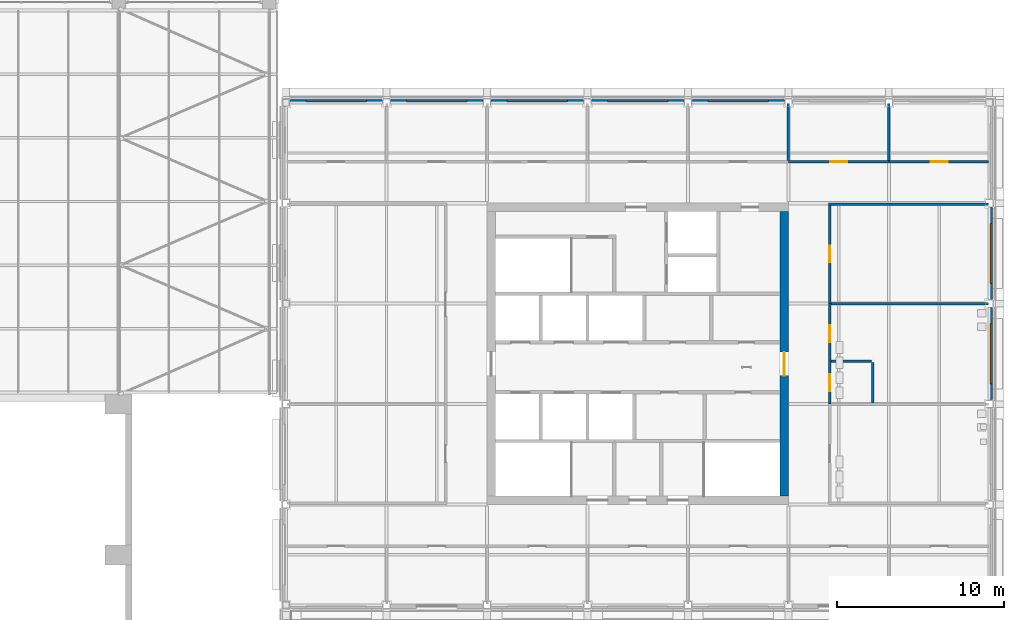
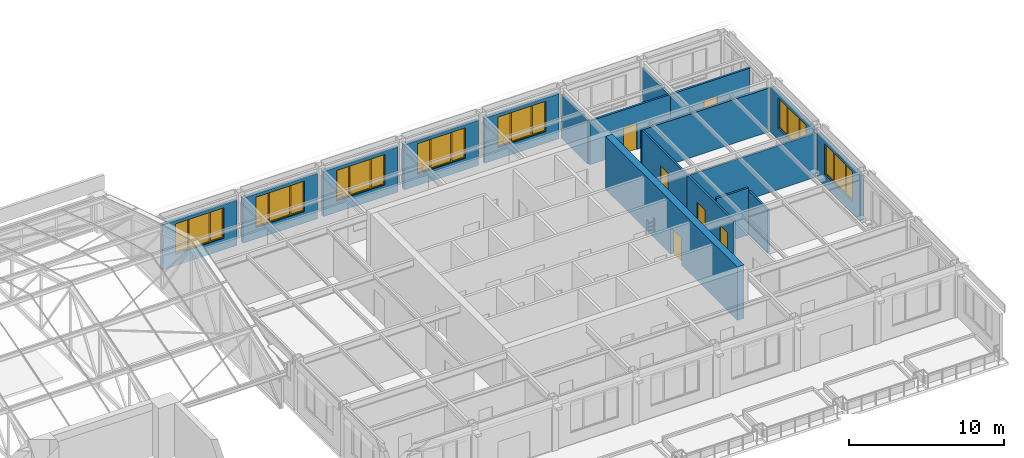
# One storey, part 63 of 82: 18 walls, 7 windows, 6 doors, 13 openings.
"""IFC4 building model written with IfcOpenShell, lengths in metres."""

from ifc_helpers import new_model, si_unit, direction, frame, frame_2d, origin, place, context, subcontext, project, spatial, polyline, rectangle, outline, extrude, material, layer, layer_set, type_object, element, fill, save


model = new_model("IFC4")

# Units and contexts
model_context = context("Model", 3, precision=1e-05, world=origin(), true_north=direction((0.0, 1.0)))
body_context = subcontext(model_context, "Body", "Model", "MODEL_VIEW")
ifc_project = project(units=[si_unit("LENGTHUNIT", "METRE"), si_unit("AREAUNIT", "SQUARE_METRE"), si_unit("VOLUMEUNIT", "CUBIC_METRE"), si_unit("PLANEANGLEUNIT", "RADIAN"), si_unit("MASSUNIT", "GRAM", prefix="KILO")], contexts=[model_context])

# Site, building, storey
site_placement = place(None, origin())
site = spatial("IfcSite", under=ifc_project, at=site_placement, CompositionType="ELEMENT")
building_placement = place(site_placement, origin())
building = spatial("IfcBuilding", under=site, at=building_placement, Name="Aravalli Gate Trade Fair Centre", CompositionType="ELEMENT")
storey_placement = place(building_placement, frame((0.0, 0.0, 19.199951171875)))
storey = spatial("IfcBuildingStorey", under=building, at=storey_placement, Name="L04", CompositionType="ELEMENT", Elevation=19.199951171875)

# Wall, opening, door
ifc_material_1 = material(Name="Concrete M50", Category="concrete")
ifc_layer_1 = layer(ifc_material_1, 0.5)
ifc_layer_set_1 = layer_set([ifc_layer_1], Name="Concrete M50")
wall_type_1 = type_object("IfcWallType", Name="Wing core shear wall 500", PredefinedType="SHEAR", material=ifc_layer_set_1)
wall_1_placement = place(storey_placement, frame((189.75, 103.5, 0.0), z_axis=(0.0, 0.0, 1.0), x_axis=(0.0, 1.0, 0.0)))
wall_1 = element("IfcWall", 1, at=wall_1_placement, inside=storey, type_object=wall_type_1, Name="Core wall E L04", PredefinedType="SHEAR", context=body_context, shape_type="SweptSolid", body=[
    extrude(rectangle(XDim=17.0, YDim=0.5, at=frame_2d((8.5, 0.0))), origin(), (0.0, 0.0, 1.0), 4.199951171875),
])
opening_1_placement = place(wall_1_placement, frame((7.199951171875, 0.0, 0.0)))
opening_1 = element("IfcOpeningElement", 2, at=opening_1_placement, cuts=wall_1, Name="Opening T-L04-107", PredefinedType="OPENING", context=body_context, shape_type="SweptSolid", body=[
    extrude(rectangle(XDim=1.39990234375, YDim=2.10009765625, at=frame_2d((0.699951171875, 1.050048828125))), frame((0.0, 0.260009765625, 0.0), z_axis=(0.0, -1.0, 0.0), x_axis=(1.0, 0.0, 0.0)), (0.0, 0.0, 1.0), 0.52001953125),
])
ifc_material_2 = material(Name="Steel, fire rated", Category="steel")
door_type_1 = type_object("IfcDoorType", Name="Wing fire door FD120 1400 x 2100", OperationType="DOUBLE_DOOR_SINGLE_SWING", PredefinedType="DOOR", material=ifc_material_2)
door_1_placement = place(opening_1_placement, frame((1.39990234375, 0.0, 0.0), z_axis=(0.0, 0.0, 1.0), x_axis=(-1.0, 0.0, 0.0)))
door_1 = element("IfcDoor", 3, at=door_1_placement, inside=storey, type_object=door_type_1, Name="Core door T-L04-107", OperationType="DOUBLE_DOOR_SINGLE_SWING", OverallHeight=2.10009765625, OverallWidth=1.39990234375, PredefinedType="DOOR", context=body_context, shape_type="SweptSolid", body=[
    extrude(rectangle(XDim=1.39990234375, YDim=2.10009765625, at=frame_2d((0.699951171875, 1.050048828125))), frame((0.0, 0.02490234375, 0.0), z_axis=(0.0, -1.0, 0.0), x_axis=(1.0, 0.0, 0.0)), (0.0, 0.0, 1.0), 0.050048828125),
])
fill(opening_1, door_1)

# Wall
ifc_material_3 = material(Name="Blockwork with fire-rated lining", Category="masonry")
ifc_layer_2 = layer(ifc_material_3, 0.14990234375)
ifc_layer_set_2 = layer_set([ifc_layer_2], Name="Blockwork with fire-rated lining")
wall_type_2 = type_object("IfcWallType", Name="Wing partition 150 (EI 60, corridor wall)", PredefinedType="PARTITIONING", material=ifc_layer_set_2)
wall_2_placement = place(storey_placement, frame((190.0, 123.550048828125, 0.0), z_axis=(0.0, 0.0, 1.0), x_axis=(0.0, 1.0, 0.0)))
element("IfcWall", 4, at=wall_2_placement, inside=storey, type_object=wall_type_2, Name="Partition NP5 L04", PredefinedType="PARTITIONING", context=body_context, shape_type="SweptSolid", body=[
    extrude(rectangle(XDim=3.39990234375, YDim=0.14990234375, at=frame_2d((1.699951171875, 0.0))), origin(), (0.0, 0.0, 1.0), 3.449951171875),
])

# Wall, opening, door
wall_3_placement = place(storey_placement, frame((190.0, 123.47509765625, 0.0), z_axis=(0.0, 0.0, 1.0), x_axis=(1.0, 0.0, 0.0)))
wall_3 = element("IfcWall", 5, at=wall_3_placement, inside=storey, type_object=wall_type_2, Name="Partition NW6 L04", PredefinedType="PARTITIONING", context=body_context, shape_type="SweptSolid", body=[
    extrude(rectangle(XDim=6.0, YDim=0.14990234375, at=frame_2d((3.0, 0.0))), origin(), (0.0, 0.0, 1.0), 3.449951171875),
])
opening_2_placement = place(wall_3_placement, frame((2.5, 0.0, 0.0)))
opening_2 = element("IfcOpeningElement", 6, at=opening_2_placement, cuts=wall_3, Name="Opening T-L04-153", PredefinedType="OPENING", context=body_context, shape_type="SweptSolid", body=[
    extrude(rectangle(XDim=1.0, YDim=2.10009765625, at=frame_2d((0.5, 1.050048828125))), frame((0.0, 0.0849609375, 0.0), z_axis=(0.0, -1.0, 0.0), x_axis=(1.0, 0.0, 0.0)), (0.0, 0.0, 1.0), 0.169921875),
])
door_type_2 = type_object("IfcDoorType", Name="Wing fire door FD60 1000 x 2100", OperationType="SINGLE_SWING_LEFT", PredefinedType="DOOR", material=ifc_material_2)
door_2_placement = place(opening_2_placement, origin())
door_2 = element("IfcDoor", 7, at=door_2_placement, inside=storey, type_object=door_type_2, Name="Door T-L04-153", OperationType="SINGLE_SWING_LEFT", OverallHeight=2.10009765625, OverallWidth=1.0, PredefinedType="DOOR", context=body_context, shape_type="SweptSolid", body=[
    extrude(rectangle(XDim=1.0, YDim=2.10009765625, at=frame_2d((0.5, 1.050048828125))), frame((0.0, 0.02490234375, 0.0), z_axis=(0.0, -1.0, 0.0), x_axis=(1.0, 0.0, 0.0)), (0.0, 0.0, 1.0), 0.050048828125),
])
fill(opening_2, door_2)

# Wall
wall_4_placement = place(storey_placement, frame((196.0, 123.550048828125, 0.0), z_axis=(0.0, 0.0, 1.0), x_axis=(0.0, 1.0, 0.0)))
element("IfcWall", 8, at=wall_4_placement, inside=storey, type_object=wall_type_2, Name="Partition NP6 L04", PredefinedType="PARTITIONING", context=body_context, shape_type="SweptSolid", body=[
    extrude(rectangle(XDim=3.39990234375, YDim=0.14990234375, at=frame_2d((1.699951171875, 0.0))), origin(), (0.0, 0.0, 1.0), 3.449951171875),
])

# Wall, opening, door
wall_5_placement = place(storey_placement, frame((196.0, 123.47509765625, 0.0), z_axis=(0.0, 0.0, 1.0), x_axis=(1.0, 0.0, 0.0)))
wall_5 = element("IfcWall", 9, at=wall_5_placement, inside=storey, type_object=wall_type_2, Name="Partition NW7 L04", PredefinedType="PARTITIONING", context=body_context, shape_type="SweptSolid", body=[
    extrude(rectangle(XDim=5.949951171875, YDim=0.14990234375, at=frame_2d((2.97509765625, 0.0))), origin(), (0.0, 0.0, 1.0), 3.449951171875),
])
opening_3_placement = place(wall_5_placement, frame((2.512451171875, 0.0, 0.0)))
opening_3 = element("IfcOpeningElement", 10, at=opening_3_placement, cuts=wall_5, Name="Opening T-L04-154", PredefinedType="OPENING", context=body_context, shape_type="SweptSolid", body=[
    extrude(rectangle(XDim=1.0, YDim=2.10009765625, at=frame_2d((0.5, 1.050048828125))), frame((0.0, 0.0849609375, 0.0), z_axis=(0.0, -1.0, 0.0), x_axis=(1.0, 0.0, 0.0)), (0.0, 0.0, 1.0), 0.169921875),
])
door_3_placement = place(opening_3_placement, origin())
door_3 = element("IfcDoor", 11, at=door_3_placement, inside=storey, type_object=door_type_2, Name="Door T-L04-154", OperationType="SINGLE_SWING_RIGHT", OverallHeight=2.10009765625, OverallWidth=1.0, PredefinedType="DOOR", context=body_context, shape_type="SweptSolid", body=[
    extrude(rectangle(XDim=1.0, YDim=2.10009765625, at=frame_2d((0.5, 1.050048828125))), frame((0.0, 0.02490234375, 0.0), z_axis=(0.0, -1.0, 0.0), x_axis=(1.0, 0.0, 0.0)), (0.0, 0.0, 1.0), 0.050048828125),
])
fill(opening_3, door_3)

# Wall, openings, doors
wall_6_placement = place(storey_placement, frame((192.47509765625, 109.0, 0.0), z_axis=(0.0, 0.0, 1.0), x_axis=(0.0, 1.0, 0.0)))
wall_6 = element("IfcWall", 12, at=wall_6_placement, inside=storey, type_object=wall_type_2, Name="Partition EW2 L04", PredefinedType="PARTITIONING", context=body_context, shape_type="SweptSolid", body=[
    extrude(rectangle(XDim=6.0, YDim=0.14990234375, at=frame_2d((3.0, 0.0))), origin(), (0.0, 0.0, 1.0), 3.449951171875),
])
opening_4_placement = place(wall_6_placement, frame((3.699951171875, 0.0, 0.0)))
opening_4 = element("IfcOpeningElement", 13, at=opening_4_placement, cuts=wall_6, Name="Opening T-L04-158", PredefinedType="OPENING", context=body_context, shape_type="SweptSolid", body=[
    extrude(rectangle(XDim=1.0, YDim=2.10009765625, at=frame_2d((0.5, 1.050048828125))), frame((0.0, 0.0849609375, 0.0), z_axis=(0.0, -1.0, 0.0), x_axis=(1.0, 0.0, 0.0)), (0.0, 0.0, 1.0), 0.169921875),
])
opening_5_placement = place(wall_6_placement, frame((0.77490234375, 0.0, 0.0)))
opening_5 = element("IfcOpeningElement", 14, at=opening_5_placement, cuts=wall_6, Name="Opening T-L04-159", PredefinedType="OPENING", context=body_context, shape_type="SweptSolid", body=[
    extrude(rectangle(XDim=1.0, YDim=2.10009765625, at=frame_2d((0.5, 1.050048828125))), frame((0.0, 0.0849609375, 0.0), z_axis=(0.0, -1.0, 0.0), x_axis=(1.0, 0.0, 0.0)), (0.0, 0.0, 1.0), 0.169921875),
])
door_4_placement = place(opening_4_placement, frame((1.0, 0.0, 0.0), z_axis=(0.0, 0.0, 1.0), x_axis=(-1.0, 0.0, 0.0)))
door_4 = element("IfcDoor", 15, at=door_4_placement, inside=storey, type_object=door_type_2, Name="Door T-L04-158", OperationType="SINGLE_SWING_RIGHT", OverallHeight=2.10009765625, OverallWidth=1.0, PredefinedType="DOOR", context=body_context, shape_type="SweptSolid", body=[
    extrude(rectangle(XDim=1.0, YDim=2.10009765625, at=frame_2d((0.5, 1.050048828125))), frame((0.0, 0.02490234375, 0.0), z_axis=(0.0, -1.0, 0.0), x_axis=(1.0, 0.0, 0.0)), (0.0, 0.0, 1.0), 0.050048828125),
])
fill(opening_4, door_4)
door_5_placement = place(opening_5_placement, frame((1.0, 0.0, 0.0), z_axis=(0.0, 0.0, 1.0), x_axis=(-1.0, 0.0, 0.0)))
door_5 = element("IfcDoor", 16, at=door_5_placement, inside=storey, type_object=door_type_2, Name="Door T-L04-159", OperationType="SINGLE_SWING_RIGHT", OverallHeight=2.10009765625, OverallWidth=1.0, PredefinedType="DOOR", context=body_context, shape_type="SweptSolid", body=[
    extrude(rectangle(XDim=1.0, YDim=2.10009765625, at=frame_2d((0.5, 1.050048828125))), frame((0.0, 0.02490234375, 0.0), z_axis=(0.0, -1.0, 0.0), x_axis=(1.0, 0.0, 0.0)), (0.0, 0.0, 1.0), 0.050048828125),
])
fill(opening_5, door_5)

# Walls
wall_7_placement = place(storey_placement, frame((192.550048828125, 115.0, 0.0), z_axis=(0.0, 0.0, 1.0), x_axis=(1.0, 0.0, 0.0)))
element("IfcWall", 17, at=wall_7_placement, inside=storey, type_object=wall_type_2, Name="Partition EP2 L04", PredefinedType="PARTITIONING", context=body_context, shape_type="SweptSolid", body=[
    extrude(rectangle(XDim=9.39990234375, YDim=0.14990234375, at=frame_2d((4.699951171875, 0.0))), origin(), (0.0, 0.0, 1.0), 3.449951171875),
])
wall_8_placement = place(storey_placement, frame((195.02490234375, 109.074951171875, 0.0), z_axis=(0.0, 0.0, 1.0), x_axis=(0.0, 1.0, 0.0)))
element("IfcWall", 18, at=wall_8_placement, inside=storey, type_object=wall_type_2, Name="Partition EA2x L04", PredefinedType="PARTITIONING", context=body_context, shape_type="SweptSolid", body=[
    extrude(rectangle(XDim=2.400146484375, YDim=0.14990234375, at=frame_2d((1.2001953125, 0.0))), origin(), (0.0, 0.0, 1.0), 3.449951171875),
])
wall_9_placement = place(storey_placement, frame((192.550048828125, 111.550048828125, 0.0), z_axis=(0.0, 0.0, 1.0), x_axis=(1.0, 0.0, 0.0)))
element("IfcWall", 19, at=wall_9_placement, inside=storey, type_object=wall_type_2, Name="Partition EA2y L04", PredefinedType="PARTITIONING", context=body_context, shape_type="SweptSolid", body=[
    extrude(rectangle(XDim=2.39990234375, YDim=0.14990234375, at=frame_2d((1.199951171875, 0.0))), origin(), (0.0, 0.0, 1.0), 3.699951171875),
])

# Wall, opening, door
wall_10_placement = place(storey_placement, frame((192.47509765625, 115.0, 0.0), z_axis=(0.0, 0.0, 1.0), x_axis=(0.0, 1.0, 0.0)))
wall_10 = element("IfcWall", 20, at=wall_10_placement, inside=storey, type_object=wall_type_2, Name="Partition EW3 L04", PredefinedType="PARTITIONING", context=body_context, shape_type="SweptSolid", body=[
    extrude(rectangle(XDim=5.85009765625, YDim=0.14990234375, at=frame_2d((2.925048828125, 0.0))), origin(), (0.0, 0.0, 1.0), 3.449951171875),
])
opening_6_placement = place(wall_10_placement, frame((2.46240234375, 0.0, 0.0)))
opening_6 = element("IfcOpeningElement", 21, at=opening_6_placement, cuts=wall_10, Name="Opening T-L04-160", PredefinedType="OPENING", context=body_context, shape_type="SweptSolid", body=[
    extrude(rectangle(XDim=1.0, YDim=2.10009765625, at=frame_2d((0.5, 1.050048828125))), frame((0.0, 0.0849609375, 0.0), z_axis=(0.0, -1.0, 0.0), x_axis=(1.0, 0.0, 0.0)), (0.0, 0.0, 1.0), 0.169921875),
])
door_6_placement = place(opening_6_placement, frame((1.0, 0.0, 0.0), z_axis=(0.0, 0.0, 1.0), x_axis=(-1.0, 0.0, 0.0)))
door_6 = element("IfcDoor", 22, at=door_6_placement, inside=storey, type_object=door_type_2, Name="Door T-L04-160", OperationType="SINGLE_SWING_LEFT", OverallHeight=2.10009765625, OverallWidth=1.0, PredefinedType="DOOR", context=body_context, shape_type="SweptSolid", body=[
    extrude(rectangle(XDim=1.0, YDim=2.10009765625, at=frame_2d((0.5, 1.050048828125))), frame((0.0, 0.02490234375, 0.0), z_axis=(0.0, -1.0, 0.0), x_axis=(1.0, 0.0, 0.0)), (0.0, 0.0, 1.0), 0.050048828125),
])
fill(opening_6, door_6)

# Wall
wall_11_placement = place(storey_placement, frame((192.39990234375, 120.925048828125, 0.0), z_axis=(0.0, 0.0, 1.0), x_axis=(1.0, 0.0, 0.0)))
element("IfcWall", 23, at=wall_11_placement, inside=storey, type_object=wall_type_2, Name="Partition CL-NE L04", PredefinedType="PARTITIONING", context=body_context, shape_type="SweptSolid", body=[
    extrude(rectangle(XDim=9.550048828125, YDim=0.14990234375, at=frame_2d((4.77490234375, 0.0))), origin(), (0.0, 0.0, 1.0), 3.449951171875),
])

# Wall, opening, window
ifc_material_4 = material(Name="Concrete block masonry", Category="masonry")
ifc_layer_3 = layer(ifc_material_4, 0.2099609375, Name="Block masonry")
ifc_material_5 = material(Name="Terracotta cladding", Category="masonry")
ifc_layer_4 = layer(ifc_material_5, 0.0400390625, Name="Terracotta cladding")
ifc_layer_set_3 = layer_set([ifc_layer_3, ifc_layer_4], Name="Wing terracotta clad infill wall 250")
wall_type_3 = type_object("IfcWallType", Name="Wing terracotta clad infill wall 250", PredefinedType="SOLIDWALL", material=ifc_layer_set_3)
wall_12_placement = place(storey_placement, frame((160.22509765625, 127.074951171875, 0.0), z_axis=(0.0, 0.0, 1.0), x_axis=(1.0, 0.0, 0.0)))
wall_12 = element("IfcWall", 24, at=wall_12_placement, inside=storey, type_object=wall_type_3, Name="Facade wall N0 L04", PredefinedType="SOLIDWALL", context=body_context, shape_type="SweptSolid", body=[
    extrude(rectangle(XDim=5.5498046875, YDim=0.25, at=frame_2d((2.77490234375, 0.0))), origin(), (0.0, 0.0, 1.0), 3.550048828125),
])
opening_7_placement = place(wall_12_placement, frame((0.97509765625, 0.0, 0.89990234375)))
opening_7 = element("IfcOpeningElement", 25, at=opening_7_placement, cuts=wall_12, Name="Opening TWN1", PredefinedType="OPENING", context=body_context, shape_type="SweptSolid", body=[
    extrude(rectangle(XDim=3.60009765625, YDim=2.39990234375, at=frame_2d((1.800048828125, 1.199951171875))), frame((0.0, 0.135009765625, 0.0), z_axis=(0.0, -1.0, 0.0), x_axis=(1.0, 0.0, 0.0)), (0.0, 0.0, 1.0), 0.27001953125),
])
ifc_material_6 = material(Name="Aluminium and glass", Category="aluminium")
window_type = type_object("IfcWindowType", Name="Wing chicago window 3600 x 2400", PartitioningType="TRIPLE_PANEL_VERTICAL", PredefinedType="WINDOW", material=ifc_material_6)
window_1_placement = place(opening_7_placement, origin())
window_1 = element("IfcWindow", 26, at=window_1_placement, inside=storey, type_object=window_type, Name="Window N0 L04", OverallHeight=2.39990234375, OverallWidth=3.60009765625, PartitioningType="TRIPLE_PANEL_VERTICAL", PredefinedType="WINDOW", context=body_context, shape_type="SweptSolid", body=[
    extrude(outline(polyline([(0.0, 0.0), (3.60009765625, 0.0), (3.60009765625, 2.39990234375), (0.0, 2.39990234375), (0.0, 0.0)]), holes=[polyline([(0.06005859375, 0.06005859375), (0.9599609375, 0.06005859375), (0.9599609375, 2.33984375), (0.06005859375, 2.33984375), (0.06005859375, 0.06005859375)]), polyline([(1.06005859375, 0.06005859375), (2.539794921875, 0.06005859375), (2.539794921875, 2.33984375), (1.06005859375, 2.33984375), (1.06005859375, 0.06005859375)]), polyline([(2.639892578125, 0.06005859375), (3.539794921875, 0.06005859375), (3.539794921875, 2.33984375), (2.639892578125, 2.33984375), (2.639892578125, 0.06005859375)])]), frame((0.0, 0.030029296875, 0.0), z_axis=(0.0, -1.0, 0.0), x_axis=(1.0, 0.0, 0.0)), (0.0, 0.0, 1.0), 0.06005859375),
    extrude(rectangle(XDim=0.923828125, YDim=2.3037109375, at=frame_2d((0.510009765625, 1.199951171875))), frame((0.0, 0.010009765625, 0.0), z_axis=(0.0, -1.0, 0.0), x_axis=(1.0, 0.0, 0.0)), (0.0, 0.0, 1.0), 0.02001953125),
    extrude(rectangle(XDim=1.503662109375, YDim=2.3037109375, at=frame_2d((1.7998046875, 1.199951171875))), frame((0.0, 0.010009765625, 0.0), z_axis=(0.0, -1.0, 0.0), x_axis=(1.0, 0.0, 0.0)), (0.0, 0.0, 1.0), 0.02001953125),
    extrude(rectangle(XDim=0.923828125, YDim=2.3037109375, at=frame_2d((3.08984375, 1.199951171875))), frame((0.0, 0.010009765625, 0.0), z_axis=(0.0, -1.0, 0.0), x_axis=(1.0, 0.0, 0.0)), (0.0, 0.0, 1.0), 0.02001953125),
])
fill(opening_7, window_1)

wall_13_placement = place(storey_placement, frame((166.22509765625, 127.074951171875, 0.0), z_axis=(0.0, 0.0, 1.0), x_axis=(1.0, 0.0, 0.0)))
wall_13 = element("IfcWall", 27, at=wall_13_placement, inside=storey, type_object=wall_type_3, Name="Facade wall N1 L04", PredefinedType="SOLIDWALL", context=body_context, shape_type="SweptSolid", body=[
    extrude(rectangle(XDim=5.5498046875, YDim=0.25, at=frame_2d((2.77490234375, 0.0))), origin(), (0.0, 0.0, 1.0), 3.550048828125),
])
opening_8_placement = place(wall_13_placement, frame((0.97509765625, 0.0, 0.89990234375)))
opening_8 = element("IfcOpeningElement", 28, at=opening_8_placement, cuts=wall_13, Name="Opening TWN1", PredefinedType="OPENING", context=body_context, shape_type="SweptSolid", body=[
    extrude(rectangle(XDim=3.60009765625, YDim=2.39990234375, at=frame_2d((1.800048828125, 1.199951171875))), frame((0.0, 0.135009765625, 0.0), z_axis=(0.0, -1.0, 0.0), x_axis=(1.0, 0.0, 0.0)), (0.0, 0.0, 1.0), 0.27001953125),
])
window_2_placement = place(opening_8_placement, origin())
window_2 = element("IfcWindow", 29, at=window_2_placement, inside=storey, type_object=window_type, Name="Window N1 L04", OverallHeight=2.39990234375, OverallWidth=3.60009765625, PartitioningType="TRIPLE_PANEL_VERTICAL", PredefinedType="WINDOW", context=body_context, shape_type="SweptSolid", body=[
    extrude(outline(polyline([(0.0, 0.0), (3.60009765625, 0.0), (3.60009765625, 2.39990234375), (0.0, 2.39990234375), (0.0, 0.0)]), holes=[polyline([(0.06005859375, 0.06005859375), (0.9599609375, 0.06005859375), (0.9599609375, 2.33984375), (0.06005859375, 2.33984375), (0.06005859375, 0.06005859375)]), polyline([(1.06005859375, 0.06005859375), (2.539794921875, 0.06005859375), (2.539794921875, 2.33984375), (1.06005859375, 2.33984375), (1.06005859375, 0.06005859375)]), polyline([(2.639892578125, 0.06005859375), (3.539794921875, 0.06005859375), (3.539794921875, 2.33984375), (2.639892578125, 2.33984375), (2.639892578125, 0.06005859375)])]), frame((0.0, 0.030029296875, 0.0), z_axis=(0.0, -1.0, 0.0), x_axis=(1.0, 0.0, 0.0)), (0.0, 0.0, 1.0), 0.06005859375),
    extrude(rectangle(XDim=0.923828125, YDim=2.3037109375, at=frame_2d((0.510009765625, 1.199951171875))), frame((0.0, 0.010009765625, 0.0), z_axis=(0.0, -1.0, 0.0), x_axis=(1.0, 0.0, 0.0)), (0.0, 0.0, 1.0), 0.02001953125),
    extrude(rectangle(XDim=1.503662109375, YDim=2.3037109375, at=frame_2d((1.7998046875, 1.199951171875))), frame((0.0, 0.010009765625, 0.0), z_axis=(0.0, -1.0, 0.0), x_axis=(1.0, 0.0, 0.0)), (0.0, 0.0, 1.0), 0.02001953125),
    extrude(rectangle(XDim=0.923828125, YDim=2.3037109375, at=frame_2d((3.08984375, 1.199951171875))), frame((0.0, 0.010009765625, 0.0), z_axis=(0.0, -1.0, 0.0), x_axis=(1.0, 0.0, 0.0)), (0.0, 0.0, 1.0), 0.02001953125),
])
fill(opening_8, window_2)

wall_14_placement = place(storey_placement, frame((172.22509765625, 127.074951171875, 0.0), z_axis=(0.0, 0.0, 1.0), x_axis=(1.0, 0.0, 0.0)))
wall_14 = element("IfcWall", 30, at=wall_14_placement, inside=storey, type_object=wall_type_3, Name="Facade wall N2 L04", PredefinedType="SOLIDWALL", context=body_context, shape_type="SweptSolid", body=[
    extrude(rectangle(XDim=5.5498046875, YDim=0.25, at=frame_2d((2.77490234375, 0.0))), origin(), (0.0, 0.0, 1.0), 3.550048828125),
])
opening_9_placement = place(wall_14_placement, frame((0.97509765625, 0.0, 0.89990234375)))
opening_9 = element("IfcOpeningElement", 31, at=opening_9_placement, cuts=wall_14, Name="Opening TWN1", PredefinedType="OPENING", context=body_context, shape_type="SweptSolid", body=[
    extrude(rectangle(XDim=3.60009765625, YDim=2.39990234375, at=frame_2d((1.800048828125, 1.199951171875))), frame((0.0, 0.135009765625, 0.0), z_axis=(0.0, -1.0, 0.0), x_axis=(1.0, 0.0, 0.0)), (0.0, 0.0, 1.0), 0.27001953125),
])
window_3_placement = place(opening_9_placement, origin())
window_3 = element("IfcWindow", 32, at=window_3_placement, inside=storey, type_object=window_type, Name="Window N2 L04", OverallHeight=2.39990234375, OverallWidth=3.60009765625, PartitioningType="TRIPLE_PANEL_VERTICAL", PredefinedType="WINDOW", context=body_context, shape_type="SweptSolid", body=[
    extrude(outline(polyline([(0.0, 0.0), (3.60009765625, 0.0), (3.60009765625, 2.39990234375), (0.0, 2.39990234375), (0.0, 0.0)]), holes=[polyline([(0.06005859375, 0.06005859375), (0.9599609375, 0.06005859375), (0.9599609375, 2.33984375), (0.06005859375, 2.33984375), (0.06005859375, 0.06005859375)]), polyline([(1.06005859375, 0.06005859375), (2.539794921875, 0.06005859375), (2.539794921875, 2.33984375), (1.06005859375, 2.33984375), (1.06005859375, 0.06005859375)]), polyline([(2.639892578125, 0.06005859375), (3.539794921875, 0.06005859375), (3.539794921875, 2.33984375), (2.639892578125, 2.33984375), (2.639892578125, 0.06005859375)])]), frame((0.0, 0.030029296875, 0.0), z_axis=(0.0, -1.0, 0.0), x_axis=(1.0, 0.0, 0.0)), (0.0, 0.0, 1.0), 0.06005859375),
    extrude(rectangle(XDim=0.923828125, YDim=2.3037109375, at=frame_2d((0.510009765625, 1.199951171875))), frame((0.0, 0.010009765625, 0.0), z_axis=(0.0, -1.0, 0.0), x_axis=(1.0, 0.0, 0.0)), (0.0, 0.0, 1.0), 0.02001953125),
    extrude(rectangle(XDim=1.503662109375, YDim=2.3037109375, at=frame_2d((1.7998046875, 1.199951171875))), frame((0.0, 0.010009765625, 0.0), z_axis=(0.0, -1.0, 0.0), x_axis=(1.0, 0.0, 0.0)), (0.0, 0.0, 1.0), 0.02001953125),
    extrude(rectangle(XDim=0.923828125, YDim=2.3037109375, at=frame_2d((3.08984375, 1.199951171875))), frame((0.0, 0.010009765625, 0.0), z_axis=(0.0, -1.0, 0.0), x_axis=(1.0, 0.0, 0.0)), (0.0, 0.0, 1.0), 0.02001953125),
])
fill(opening_9, window_3)

wall_15_placement = place(storey_placement, frame((178.22509765625, 127.074951171875, 0.0), z_axis=(0.0, 0.0, 1.0), x_axis=(1.0, 0.0, 0.0)))
wall_15 = element("IfcWall", 33, at=wall_15_placement, inside=storey, type_object=wall_type_3, Name="Facade wall N3 L04", PredefinedType="SOLIDWALL", context=body_context, shape_type="SweptSolid", body=[
    extrude(rectangle(XDim=5.5498046875, YDim=0.25, at=frame_2d((2.77490234375, 0.0))), origin(), (0.0, 0.0, 1.0), 3.550048828125),
])
opening_10_placement = place(wall_15_placement, frame((0.97509765625, 0.0, 0.89990234375)))
opening_10 = element("IfcOpeningElement", 34, at=opening_10_placement, cuts=wall_15, Name="Opening TWN1", PredefinedType="OPENING", context=body_context, shape_type="SweptSolid", body=[
    extrude(rectangle(XDim=3.60009765625, YDim=2.39990234375, at=frame_2d((1.800048828125, 1.199951171875))), frame((0.0, 0.135009765625, 0.0), z_axis=(0.0, -1.0, 0.0), x_axis=(1.0, 0.0, 0.0)), (0.0, 0.0, 1.0), 0.27001953125),
])
window_4_placement = place(opening_10_placement, origin())
window_4 = element("IfcWindow", 35, at=window_4_placement, inside=storey, type_object=window_type, Name="Window N3 L04", OverallHeight=2.39990234375, OverallWidth=3.60009765625, PartitioningType="TRIPLE_PANEL_VERTICAL", PredefinedType="WINDOW", context=body_context, shape_type="SweptSolid", body=[
    extrude(outline(polyline([(0.0, 0.0), (3.60009765625, 0.0), (3.60009765625, 2.39990234375), (0.0, 2.39990234375), (0.0, 0.0)]), holes=[polyline([(0.06005859375, 0.06005859375), (0.9599609375, 0.06005859375), (0.9599609375, 2.33984375), (0.06005859375, 2.33984375), (0.06005859375, 0.06005859375)]), polyline([(1.06005859375, 0.06005859375), (2.539794921875, 0.06005859375), (2.539794921875, 2.33984375), (1.06005859375, 2.33984375), (1.06005859375, 0.06005859375)]), polyline([(2.639892578125, 0.06005859375), (3.539794921875, 0.06005859375), (3.539794921875, 2.33984375), (2.639892578125, 2.33984375), (2.639892578125, 0.06005859375)])]), frame((0.0, 0.030029296875, 0.0), z_axis=(0.0, -1.0, 0.0), x_axis=(1.0, 0.0, 0.0)), (0.0, 0.0, 1.0), 0.06005859375),
    extrude(rectangle(XDim=0.923828125, YDim=2.3037109375, at=frame_2d((0.510009765625, 1.199951171875))), frame((0.0, 0.010009765625, 0.0), z_axis=(0.0, -1.0, 0.0), x_axis=(1.0, 0.0, 0.0)), (0.0, 0.0, 1.0), 0.02001953125),
    extrude(rectangle(XDim=1.503662109375, YDim=2.3037109375, at=frame_2d((1.7998046875, 1.199951171875))), frame((0.0, 0.010009765625, 0.0), z_axis=(0.0, -1.0, 0.0), x_axis=(1.0, 0.0, 0.0)), (0.0, 0.0, 1.0), 0.02001953125),
    extrude(rectangle(XDim=0.923828125, YDim=2.3037109375, at=frame_2d((3.08984375, 1.199951171875))), frame((0.0, 0.010009765625, 0.0), z_axis=(0.0, -1.0, 0.0), x_axis=(1.0, 0.0, 0.0)), (0.0, 0.0, 1.0), 0.02001953125),
])
fill(opening_10, window_4)

wall_16_placement = place(storey_placement, frame((184.22509765625, 127.074951171875, 0.0), z_axis=(0.0, 0.0, 1.0), x_axis=(1.0, 0.0, 0.0)))
wall_16 = element("IfcWall", 36, at=wall_16_placement, inside=storey, type_object=wall_type_3, Name="Facade wall N4 L04", PredefinedType="SOLIDWALL", context=body_context, shape_type="SweptSolid", body=[
    extrude(rectangle(XDim=5.5498046875, YDim=0.25, at=frame_2d((2.77490234375, 0.0))), origin(), (0.0, 0.0, 1.0), 3.550048828125),
])
opening_11_placement = place(wall_16_placement, frame((0.97509765625, 0.0, 0.89990234375)))
opening_11 = element("IfcOpeningElement", 37, at=opening_11_placement, cuts=wall_16, Name="Opening TWN1", PredefinedType="OPENING", context=body_context, shape_type="SweptSolid", body=[
    extrude(rectangle(XDim=3.60009765625, YDim=2.39990234375, at=frame_2d((1.800048828125, 1.199951171875))), frame((0.0, 0.135009765625, 0.0), z_axis=(0.0, -1.0, 0.0), x_axis=(1.0, 0.0, 0.0)), (0.0, 0.0, 1.0), 0.27001953125),
])
window_5_placement = place(opening_11_placement, origin())
window_5 = element("IfcWindow", 38, at=window_5_placement, inside=storey, type_object=window_type, Name="Window N4 L04", OverallHeight=2.39990234375, OverallWidth=3.60009765625, PartitioningType="TRIPLE_PANEL_VERTICAL", PredefinedType="WINDOW", context=body_context, shape_type="SweptSolid", body=[
    extrude(outline(polyline([(0.0, 0.0), (3.60009765625, 0.0), (3.60009765625, 2.39990234375), (0.0, 2.39990234375), (0.0, 0.0)]), holes=[polyline([(0.06005859375, 0.06005859375), (0.9599609375, 0.06005859375), (0.9599609375, 2.33984375), (0.06005859375, 2.33984375), (0.06005859375, 0.06005859375)]), polyline([(1.06005859375, 0.06005859375), (2.539794921875, 0.06005859375), (2.539794921875, 2.33984375), (1.06005859375, 2.33984375), (1.06005859375, 0.06005859375)]), polyline([(2.639892578125, 0.06005859375), (3.539794921875, 0.06005859375), (3.539794921875, 2.33984375), (2.639892578125, 2.33984375), (2.639892578125, 0.06005859375)])]), frame((0.0, 0.030029296875, 0.0), z_axis=(0.0, -1.0, 0.0), x_axis=(1.0, 0.0, 0.0)), (0.0, 0.0, 1.0), 0.06005859375),
    extrude(rectangle(XDim=0.923828125, YDim=2.3037109375, at=frame_2d((0.510009765625, 1.199951171875))), frame((0.0, 0.010009765625, 0.0), z_axis=(0.0, -1.0, 0.0), x_axis=(1.0, 0.0, 0.0)), (0.0, 0.0, 1.0), 0.02001953125),
    extrude(rectangle(XDim=1.503662109375, YDim=2.3037109375, at=frame_2d((1.7998046875, 1.199951171875))), frame((0.0, 0.010009765625, 0.0), z_axis=(0.0, -1.0, 0.0), x_axis=(1.0, 0.0, 0.0)), (0.0, 0.0, 1.0), 0.02001953125),
    extrude(rectangle(XDim=0.923828125, YDim=2.3037109375, at=frame_2d((3.08984375, 1.199951171875))), frame((0.0, 0.010009765625, 0.0), z_axis=(0.0, -1.0, 0.0), x_axis=(1.0, 0.0, 0.0)), (0.0, 0.0, 1.0), 0.02001953125),
])
fill(opening_11, window_5)

wall_17_placement = place(storey_placement, frame((202.074951171875, 109.22509765625, 0.0), z_axis=(0.0, 0.0, 1.0), x_axis=(0.0, 1.0, 0.0)))
wall_17 = element("IfcWall", 39, at=wall_17_placement, inside=storey, type_object=wall_type_3, Name="Facade wall E3 L04", PredefinedType="SOLIDWALL", context=body_context, shape_type="SweptSolid", body=[
    extrude(rectangle(XDim=5.5498046875, YDim=0.25, at=frame_2d((2.77490234375, 0.0))), origin(), (0.0, 0.0, 1.0), 3.550048828125),
])
opening_12_placement = place(wall_17_placement, frame((0.97509765625, 0.0, 0.89990234375)))
opening_12 = element("IfcOpeningElement", 40, at=opening_12_placement, cuts=wall_17, Name="Opening TWN1", PredefinedType="OPENING", context=body_context, shape_type="SweptSolid", body=[
    extrude(rectangle(XDim=3.60009765625, YDim=2.39990234375, at=frame_2d((1.800048828125, 1.199951171875))), frame((0.0, 0.135009765625, 0.0), z_axis=(0.0, -1.0, 0.0), x_axis=(1.0, 0.0, 0.0)), (0.0, 0.0, 1.0), 0.27001953125),
])
window_6_placement = place(opening_12_placement, origin())
window_6 = element("IfcWindow", 41, at=window_6_placement, inside=storey, type_object=window_type, Name="Window E3 L04", OverallHeight=2.39990234375, OverallWidth=3.60009765625, PartitioningType="TRIPLE_PANEL_VERTICAL", PredefinedType="WINDOW", context=body_context, shape_type="SweptSolid", body=[
    extrude(outline(polyline([(0.0, 0.0), (3.60009765625, 0.0), (3.60009765625, 2.39990234375), (0.0, 2.39990234375), (0.0, 0.0)]), holes=[polyline([(0.06005859375, 0.06005859375), (0.9599609375, 0.06005859375), (0.9599609375, 2.33984375), (0.06005859375, 2.33984375), (0.06005859375, 0.06005859375)]), polyline([(1.06005859375, 0.06005859375), (2.539794921875, 0.06005859375), (2.539794921875, 2.33984375), (1.06005859375, 2.33984375), (1.06005859375, 0.06005859375)]), polyline([(2.639892578125, 0.06005859375), (3.539794921875, 0.06005859375), (3.539794921875, 2.33984375), (2.639892578125, 2.33984375), (2.639892578125, 0.06005859375)])]), frame((0.0, 0.030029296875, 0.0), z_axis=(0.0, -1.0, 0.0), x_axis=(1.0, 0.0, 0.0)), (0.0, 0.0, 1.0), 0.06005859375),
    extrude(rectangle(XDim=0.923828125, YDim=2.3037109375, at=frame_2d((0.510009765625, 1.199951171875))), frame((0.0, 0.010009765625, 0.0), z_axis=(0.0, -1.0, 0.0), x_axis=(1.0, 0.0, 0.0)), (0.0, 0.0, 1.0), 0.02001953125),
    extrude(rectangle(XDim=1.503662109375, YDim=2.3037109375, at=frame_2d((1.7998046875, 1.199951171875))), frame((0.0, 0.010009765625, 0.0), z_axis=(0.0, -1.0, 0.0), x_axis=(1.0, 0.0, 0.0)), (0.0, 0.0, 1.0), 0.02001953125),
    extrude(rectangle(XDim=0.923828125, YDim=2.3037109375, at=frame_2d((3.08984375, 1.199951171875))), frame((0.0, 0.010009765625, 0.0), z_axis=(0.0, -1.0, 0.0), x_axis=(1.0, 0.0, 0.0)), (0.0, 0.0, 1.0), 0.02001953125),
])
fill(opening_12, window_6)

wall_18_placement = place(storey_placement, frame((202.074951171875, 115.22509765625, 0.0), z_axis=(0.0, 0.0, 1.0), x_axis=(0.0, 1.0, 0.0)))
wall_18 = element("IfcWall", 42, at=wall_18_placement, inside=storey, type_object=wall_type_3, Name="Facade wall E4 L04", PredefinedType="SOLIDWALL", context=body_context, shape_type="SweptSolid", body=[
    extrude(rectangle(XDim=5.5498046875, YDim=0.25, at=frame_2d((2.77490234375, 0.0))), origin(), (0.0, 0.0, 1.0), 3.550048828125),
])
opening_13_placement = place(wall_18_placement, frame((0.97509765625, 0.0, 0.89990234375)))
opening_13 = element("IfcOpeningElement", 43, at=opening_13_placement, cuts=wall_18, Name="Opening TWN1", PredefinedType="OPENING", context=body_context, shape_type="SweptSolid", body=[
    extrude(rectangle(XDim=3.60009765625, YDim=2.39990234375, at=frame_2d((1.800048828125, 1.199951171875))), frame((0.0, 0.135009765625, 0.0), z_axis=(0.0, -1.0, 0.0), x_axis=(1.0, 0.0, 0.0)), (0.0, 0.0, 1.0), 0.27001953125),
])
window_7_placement = place(opening_13_placement, origin())
window_7 = element("IfcWindow", 44, at=window_7_placement, inside=storey, type_object=window_type, Name="Window E4 L04", OverallHeight=2.39990234375, OverallWidth=3.60009765625, PartitioningType="TRIPLE_PANEL_VERTICAL", PredefinedType="WINDOW", context=body_context, shape_type="SweptSolid", body=[
    extrude(outline(polyline([(0.0, 0.0), (3.60009765625, 0.0), (3.60009765625, 2.39990234375), (0.0, 2.39990234375), (0.0, 0.0)]), holes=[polyline([(0.06005859375, 0.06005859375), (0.9599609375, 0.06005859375), (0.9599609375, 2.33984375), (0.06005859375, 2.33984375), (0.06005859375, 0.06005859375)]), polyline([(1.06005859375, 0.06005859375), (2.539794921875, 0.06005859375), (2.539794921875, 2.33984375), (1.06005859375, 2.33984375), (1.06005859375, 0.06005859375)]), polyline([(2.639892578125, 0.06005859375), (3.539794921875, 0.06005859375), (3.539794921875, 2.33984375), (2.639892578125, 2.33984375), (2.639892578125, 0.06005859375)])]), frame((0.0, 0.030029296875, 0.0), z_axis=(0.0, -1.0, 0.0), x_axis=(1.0, 0.0, 0.0)), (0.0, 0.0, 1.0), 0.06005859375),
    extrude(rectangle(XDim=0.923828125, YDim=2.3037109375, at=frame_2d((0.510009765625, 1.199951171875))), frame((0.0, 0.010009765625, 0.0), z_axis=(0.0, -1.0, 0.0), x_axis=(1.0, 0.0, 0.0)), (0.0, 0.0, 1.0), 0.02001953125),
    extrude(rectangle(XDim=1.503662109375, YDim=2.3037109375, at=frame_2d((1.7998046875, 1.199951171875))), frame((0.0, 0.010009765625, 0.0), z_axis=(0.0, -1.0, 0.0), x_axis=(1.0, 0.0, 0.0)), (0.0, 0.0, 1.0), 0.02001953125),
    extrude(rectangle(XDim=0.923828125, YDim=2.3037109375, at=frame_2d((3.08984375, 1.199951171875))), frame((0.0, 0.010009765625, 0.0), z_axis=(0.0, -1.0, 0.0), x_axis=(1.0, 0.0, 0.0)), (0.0, 0.0, 1.0), 0.02001953125),
])
fill(opening_13, window_7)

save(model, "model.ifc")
